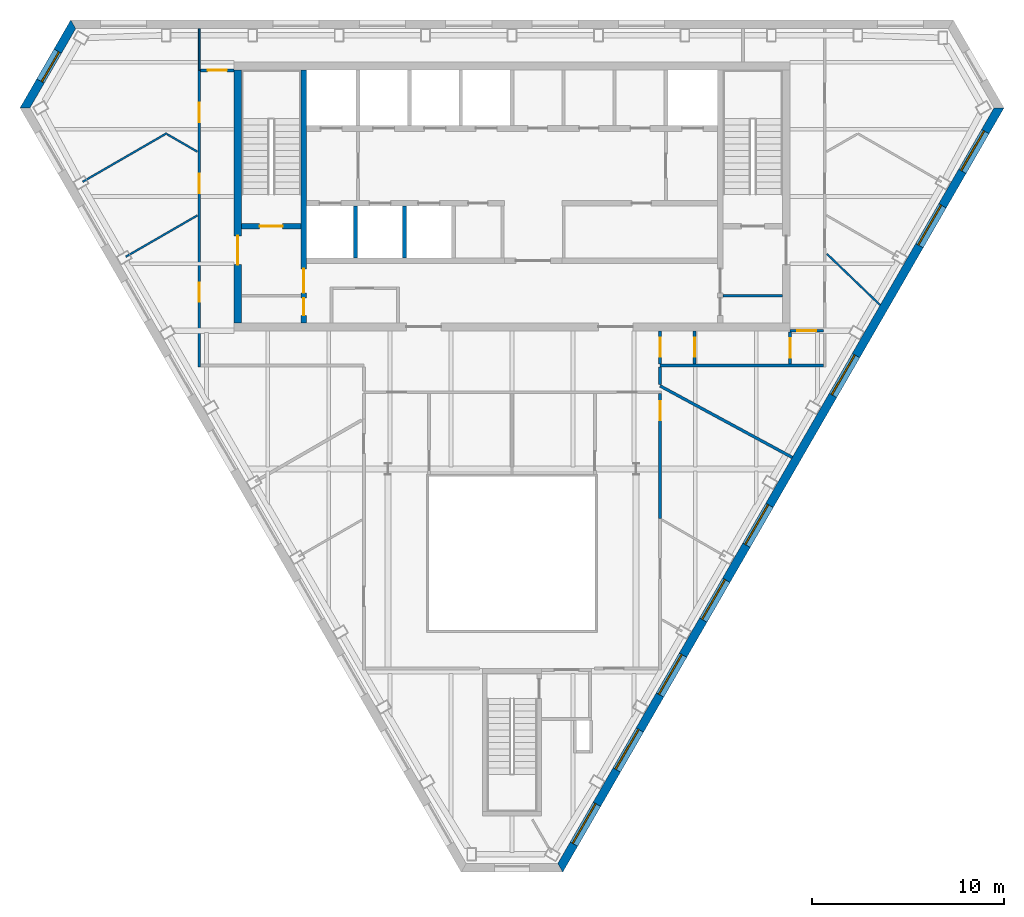
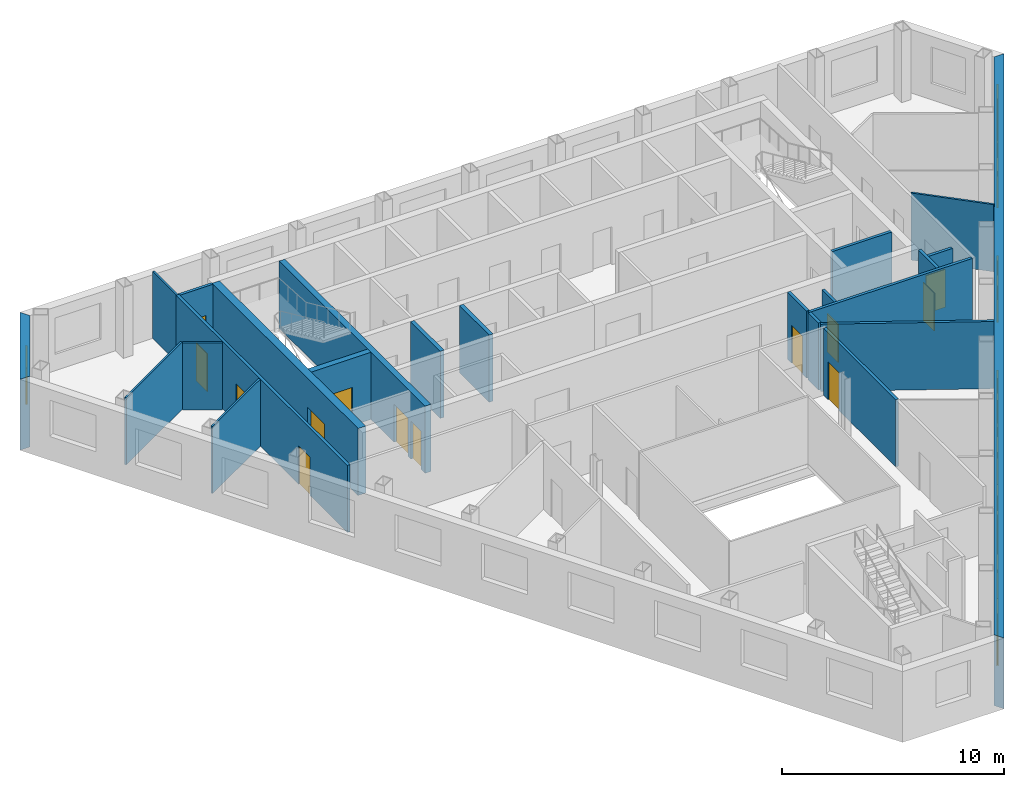
# One storey, part 5 of 10: 23 walls, 13 doors, 9 windows, 22 openings.
"""IFC4 building model written with IfcOpenShell, lengths in metres."""

from ifc_helpers import new_model, si_unit, direction, frame, frame_2d, origin, place, context, subcontext, project, spatial, polyline, rectangle, outline, extrude, material, layer, layer_set, type_object, element, fill, save


model = new_model("IFC4")

# Units and contexts
model_context = context("Model", 3, precision=1e-05, world=origin(), true_north=direction((0.0, 1.0)))
body_context = subcontext(model_context, "Body", "Model", "MODEL_VIEW")
ifc_project = project(units=[si_unit("LENGTHUNIT", "METRE"), si_unit("AREAUNIT", "SQUARE_METRE"), si_unit("VOLUMEUNIT", "CUBIC_METRE"), si_unit("PLANEANGLEUNIT", "RADIAN"), si_unit("MASSUNIT", "GRAM", prefix="KILO")], contexts=[model_context])

# Site, building, storey
site_placement = place(None, origin())
site = spatial("IfcSite", under=ifc_project, at=site_placement, CompositionType="ELEMENT")
building_placement = place(site_placement, origin())
building = spatial("IfcBuilding", under=site, at=building_placement, Name="Njiva Tower", CompositionType="ELEMENT")
storey_placement = place(building_placement, frame((0.0, 0.0, 284.4)))
storey = spatial("IfcBuildingStorey", under=building, at=storey_placement, Name="L65", CompositionType="ELEMENT", Elevation=284.4)

# Wall
ifc_material_1 = material(Name="Blockwork", Category="masonry")
ifc_layer_1 = layer(ifc_material_1, 0.15)
ifc_layer_set_1 = layer_set([ifc_layer_1], Name="Blockwork")
wall_type_1 = type_object("IfcWallType", Name="WT1 Compartment partition 150", PredefinedType="PARTITIONING", material=ifc_layer_set_1)
wall_1_placement = place(storey_placement, frame((11.0, 5.825, 0.0), z_axis=(0.0, 0.0, 1.0), x_axis=(1.0, 0.0, 0.0)))
element("IfcWall", 1, at=wall_1_placement, inside=storey, type_object=wall_type_1, Name="Room wall B", PredefinedType="PARTITIONING", context=body_context, shape_type="SweptSolid", body=[
    extrude(rectangle(XDim=3.1, YDim=0.15, at=frame_2d((1.55, 0.0))), origin(), (0.0, 0.0, 1.0), 3.7),
])

# Wall, openings, doors
ifc_material_2 = material(Name="Concrete C40/50", Category="concrete")
ifc_layer_2 = layer(ifc_material_2, 0.3)
ifc_layer_set_2 = layer_set([ifc_layer_2], Name="Concrete C40/50")
wall_type_2 = type_object("IfcWallType", Name="WT10 Stair enclosure wall 300", PredefinedType="SHEAR", material=ifc_layer_set_2)
wall_2_placement = place(storey_placement, frame((-10.85, 4.4, 0.0), z_axis=(0.0, 0.0, 1.0), x_axis=(0.0, 1.0, 0.0)))
wall_2 = element("IfcWall", 2, at=wall_2_placement, inside=storey, type_object=wall_type_2, Name="Stair wall west inner", PredefinedType="SHEAR", context=body_context, shape_type="SweptSolid", body=[
    extrude(rectangle(XDim=13.2, YDim=0.3, at=frame_2d((6.6, 0.0))), origin(), (0.0, 0.0, 1.0), 3.7),
])
opening_1_placement = place(wall_2_placement, frame((1.575, 0.0, 0.0)))
opening_1 = element("IfcOpeningElement", 3, at=opening_1_placement, cuts=wall_2, Name="Opening S21-D916", PredefinedType="OPENING", context=body_context, shape_type="SweptSolid", body=[
    extrude(rectangle(XDim=1.25, YDim=2.1, at=frame_2d((0.625, 1.05))), frame((0.0, 0.16, 0.0), z_axis=(0.0, -1.0, 0.0), x_axis=(1.0, 0.0, 0.0)), (0.0, 0.0, 1.0), 0.32),
])
opening_2_placement = place(wall_2_placement, frame((0.4, 0.0, 0.0)))
opening_2 = element("IfcOpeningElement", 4, at=opening_2_placement, cuts=wall_2, Name="Opening S21-D918", PredefinedType="OPENING", context=body_context, shape_type="SweptSolid", body=[
    extrude(rectangle(XDim=0.9, YDim=2.1, at=frame_2d((0.45, 1.05))), frame((0.0, 0.16, 0.0), z_axis=(0.0, -1.0, 0.0), x_axis=(1.0, 0.0, 0.0)), (0.0, 0.0, 1.0), 0.32),
])
ifc_material_3 = material(Name="Steel door, painted", Category="steel")
door_type_1 = type_object("IfcDoorType", Name="D13 Steel door 900x2100", OperationType="SINGLE_SWING_LEFT", PredefinedType="DOOR", material=ifc_material_3)
door_1_placement = place(opening_2_placement, origin())
door_1 = element("IfcDoor", 5, at=door_1_placement, inside=storey, type_object=door_type_1, Name="Quiet room door", OperationType="SINGLE_SWING_RIGHT", OverallHeight=2.1, OverallWidth=0.9, PredefinedType="DOOR", context=body_context, shape_type="SweptSolid", body=[
    extrude(rectangle(XDim=0.9, YDim=2.1, at=frame_2d((0.45, 1.05))), frame((0.0, 0.025, 0.0), z_axis=(0.0, -1.0, 0.0), x_axis=(1.0, 0.0, 0.0)), (0.0, 0.0, 1.0), 0.05),
])
fill(opening_2, door_1)
ifc_material_4 = material(Name="Glazed steel fire door", Category="steel")
door_type_2 = type_object("IfcDoorType", Name="D8 Vestibule corridor door 1250x2100 glazed", OperationType="SINGLE_SWING_LEFT", PredefinedType="DOOR", material=ifc_material_4)
door_2_placement = place(opening_1_placement, origin())
door_2 = element("IfcDoor", 6, at=door_2_placement, inside=storey, type_object=door_type_2, Name="Stair vestibule corridor door", OperationType="SINGLE_SWING_LEFT", OverallHeight=2.1, OverallWidth=1.25, PredefinedType="DOOR", context=body_context, shape_type="SweptSolid", body=[
    extrude(rectangle(XDim=1.25, YDim=2.1, at=frame_2d((0.625, 1.05))), frame((0.0, 0.025, 0.0), z_axis=(0.0, -1.0, 0.0), x_axis=(1.0, 0.0, 0.0)), (0.0, 0.0, 1.0), 0.05),
])
fill(opening_1, door_2)

# Wall, opening, door
wall_3_placement = place(storey_placement, frame((-14.1, 9.45, 0.0), z_axis=(0.0, 0.0, 1.0), x_axis=(1.0, 0.0, 0.0)))
wall_3 = element("IfcWall", 7, at=wall_3_placement, inside=storey, type_object=wall_type_2, Name="Stair A south wall", PredefinedType="SHEAR", context=body_context, shape_type="SweptSolid", body=[
    extrude(rectangle(XDim=3.1, YDim=0.3, at=frame_2d((1.55, 0.0))), origin(), (0.0, 0.0, 1.0), 3.7),
])
opening_3_placement = place(wall_3_placement, frame((0.95, 0.0, 0.0)))
opening_3 = element("IfcOpeningElement", 8, at=opening_3_placement, cuts=wall_3, Name="Opening S21-D915", PredefinedType="OPENING", context=body_context, shape_type="SweptSolid", body=[
    extrude(rectangle(XDim=1.2, YDim=2.1, at=frame_2d((0.6, 1.05))), frame((0.0, 0.16, 0.0), z_axis=(0.0, -1.0, 0.0), x_axis=(1.0, 0.0, 0.0)), (0.0, 0.0, 1.0), 0.32),
])
door_type_3 = type_object("IfcDoorType", Name="D7 Stair vestibule door 1200x2100 glazed", OperationType="SINGLE_SWING_LEFT", PredefinedType="DOOR", material=ifc_material_4)
door_3_placement = place(opening_3_placement, origin())
door_3 = element("IfcDoor", 9, at=door_3_placement, inside=storey, type_object=door_type_3, Name="Stair A door", OperationType="SINGLE_SWING_LEFT", OverallHeight=2.1, OverallWidth=1.2, PredefinedType="DOOR", context=body_context, shape_type="SweptSolid", body=[
    extrude(rectangle(XDim=1.2, YDim=2.1, at=frame_2d((0.6, 1.05))), frame((0.0, 0.025, 0.0), z_axis=(0.0, -1.0, 0.0), x_axis=(1.0, 0.0, 0.0)), (0.0, 0.0, 1.0), 0.05),
])
fill(opening_3, door_3)

ifc_material_5 = material(Name="Concrete C60/75", Category="concrete")
ifc_layer_3 = layer(ifc_material_5, 0.4)
ifc_layer_set_3 = layer_set([ifc_layer_3], Name="Concrete C60/75")
wall_type_3 = type_object("IfcWallType", Name="WT11 Core wall 400", PredefinedType="SHEAR", material=ifc_layer_set_3)
wall_4_placement = place(storey_placement, frame((-14.3, 4.4, 0.0), z_axis=(0.0, 0.0, 1.0), x_axis=(0.0, 1.0, 0.0)))
wall_4 = element("IfcWall", 10, at=wall_4_placement, inside=storey, type_object=wall_type_3, Name="Core wall west", PredefinedType="SHEAR", context=body_context, shape_type="SweptSolid", body=[
    extrude(rectangle(XDim=13.2, YDim=0.4, at=frame_2d((6.6, 0.0))), origin(), (0.0, 0.0, 1.0), 3.7),
])
opening_4_placement = place(wall_4_placement, frame((3.05, 0.0, 0.0)))
opening_4 = element("IfcOpeningElement", 11, at=opening_4_placement, cuts=wall_4, Name="Opening S21-D917", PredefinedType="OPENING", context=body_context, shape_type="SweptSolid", body=[
    extrude(rectangle(XDim=1.5, YDim=2.1, at=frame_2d((0.75, 1.05))), frame((0.0, 0.21, 0.0), z_axis=(0.0, -1.0, 0.0), x_axis=(1.0, 0.0, 0.0)), (0.0, 0.0, 1.0), 0.42),
])
door_type_4 = type_object("IfcDoorType", Name="D10 Exit door double 1500x2100 glazed", OperationType="DOUBLE_DOOR_SINGLE_SWING", PredefinedType="DOOR", material=ifc_material_4)
door_4_placement = place(opening_4_placement, origin())
door_4 = element("IfcDoor", 12, at=door_4_placement, inside=storey, type_object=door_type_4, Name="Stair A corridor door", OperationType="DOUBLE_DOOR_SINGLE_SWING", OverallHeight=2.1, OverallWidth=1.5, PredefinedType="DOOR", context=body_context, shape_type="SweptSolid", body=[
    extrude(rectangle(XDim=1.5, YDim=2.1, at=frame_2d((0.75, 1.05))), frame((0.0, 0.025, 0.0), z_axis=(0.0, -1.0, 0.0), x_axis=(1.0, 0.0, 0.0)), (0.0, 0.0, 1.0), 0.05),
])
fill(opening_4, door_4)

# Walls
ifc_material_6 = material(Name="Gypsum board on steel studs", Category="gypsum")
ifc_layer_4 = layer(ifc_material_6, 0.1)
ifc_layer_set_4 = layer_set([ifc_layer_4], Name="Gypsum board on steel studs")
wall_type_4 = type_object("IfcWallType", Name="WT20 Gypsum partition 100", PredefinedType="PARTITIONING", material=ifc_layer_set_4)
wall_5_placement = place(storey_placement, frame((-22.381, 11.765, 0.0), z_axis=(0.0, 0.0, 1.0), x_axis=(0.86601491352, 0.500018169231, 0.0)))
element("IfcWall", 13, at=wall_5_placement, inside=storey, type_object=wall_type_4, Name="Partition S21-P001", PredefinedType="PARTITIONING", context=body_context, shape_type="SweptSolid", body=[
    extrude(rectangle(XDim=5.0738, YDim=0.1, at=frame_2d((2.5369, 0.0))), origin(), (0.0, 0.0, 1.0), 3.7),
])
wall_6_placement = place(storey_placement, frame((-20.127, 7.862, 0.0), z_axis=(0.0, 0.0, 1.0), x_axis=(0.866104329613, 0.499863271531, 0.0)))
element("IfcWall", 14, at=wall_6_placement, inside=storey, type_object=wall_type_4, Name="Partition S21-P002", PredefinedType="PARTITIONING", context=body_context, shape_type="SweptSolid", body=[
    extrude(rectangle(XDim=4.3032, YDim=0.1, at=frame_2d((2.1516, 0.0))), origin(), (0.0, 0.0, 1.0), 3.7),
])
wall_7_placement = place(storey_placement, frame((-17.971, 14.243, 0.0), z_axis=(0.0, 0.0, 1.0), x_axis=(0.86602952684, -0.49999285859, 0.0)))
element("IfcWall", 15, at=wall_7_placement, inside=storey, type_object=wall_type_4, Name="Partition S21-P003", PredefinedType="PARTITIONING", context=body_context, shape_type="SweptSolid", body=[
    extrude(rectangle(XDim=1.814, YDim=0.1, at=frame_2d((0.907, 0.0))), origin(), (0.0, 0.0, 1.0), 3.7),
])
wall_8_placement = place(storey_placement, frame((-16.3, 17.588, 0.0), z_axis=(0.0, 0.0, 1.0), x_axis=(0.0, 1.0, 0.0)))
element("IfcWall", 16, at=wall_8_placement, inside=storey, type_object=wall_type_4, Name="Partition S21-P005", PredefinedType="PARTITIONING", context=body_context, shape_type="SweptSolid", body=[
    extrude(rectangle(XDim=2.162, YDim=0.1, at=frame_2d((1.081, 0.0))), origin(), (0.0, 0.0, 1.0), 3.7),
])
wall_9_placement = place(storey_placement, frame((16.41, 8.012, 0.0), z_axis=(0.0, 0.0, 1.0), x_axis=(0.720972589003, -0.692963581948, 0.0)))
element("IfcWall", 17, at=wall_9_placement, inside=storey, type_object=wall_type_4, Name="Partition S21-P035", PredefinedType="PARTITIONING", context=body_context, shape_type="SweptSolid", body=[
    extrude(rectangle(XDim=3.8559, YDim=0.1, at=frame_2d((1.928, 0.0))), origin(), (0.0, 0.0, 1.0), 3.7),
])

# Wall, openings, doors
ifc_layer_5 = layer(ifc_material_6, 0.15)
ifc_layer_set_5 = layer_set([ifc_layer_5], Name="Gypsum board on steel studs")
wall_type_5 = type_object("IfcWallType", Name="WT21 Compartment wall 150", PredefinedType="PARTITIONING", material=ifc_layer_set_5)
wall_10_placement = place(storey_placement, frame((-16.3, 2.125, 0.0), z_axis=(0.0, 0.0, 1.0), x_axis=(0.0, 1.0, 0.0)))
wall_10 = element("IfcWall", 18, at=wall_10_placement, inside=storey, type_object=wall_type_5, Name="Partition S21-P004", PredefinedType="PARTITIONING", context=body_context, shape_type="SweptSolid", body=[
    extrude(rectangle(XDim=15.463, YDim=0.15, at=frame_2d((7.7315, 0.0))), origin(), (0.0, 0.0, 1.0), 3.7),
])
opening_5_placement = place(wall_10_placement, frame((3.385, 0.0, 0.0)))
opening_5 = element("IfcOpeningElement", 19, at=opening_5_placement, cuts=wall_10, Name="Opening S21-D001", PredefinedType="OPENING", context=body_context, shape_type="SweptSolid", body=[
    extrude(rectangle(XDim=1.0, YDim=2.1, at=frame_2d((0.5, 1.05))), frame((0.0, 0.085, 0.0), z_axis=(0.0, -1.0, 0.0), x_axis=(1.0, 0.0, 0.0)), (0.0, 0.0, 1.0), 0.17),
])
opening_6_placement = place(wall_10_placement, frame((9.05, 0.0, 0.0)))
opening_6 = element("IfcOpeningElement", 20, at=opening_6_placement, cuts=wall_10, Name="Opening S21-D002", PredefinedType="OPENING", context=body_context, shape_type="SweptSolid", body=[
    extrude(rectangle(XDim=1.0, YDim=2.1, at=frame_2d((0.5, 1.05))), frame((0.0, 0.085, 0.0), z_axis=(0.0, -1.0, 0.0), x_axis=(1.0, 0.0, 0.0)), (0.0, 0.0, 1.0), 0.17),
])
opening_7_placement = place(wall_10_placement, frame((12.758, 0.0, 0.0)))
opening_7 = element("IfcOpeningElement", 21, at=opening_7_placement, cuts=wall_10, Name="Opening S21-D003", PredefinedType="OPENING", context=body_context, shape_type="SweptSolid", body=[
    extrude(rectangle(XDim=1.0, YDim=2.1, at=frame_2d((0.5, 1.05))), frame((0.0, 0.085, 0.0), z_axis=(0.0, -1.0, 0.0), x_axis=(1.0, 0.0, 0.0)), (0.0, 0.0, 1.0), 0.17),
])
ifc_material_7 = material(Name="Steel fire door set", Category="steel")
door_type_5 = type_object("IfcDoorType", Name="D37 Fire door 1000x2100", OperationType="SINGLE_SWING_LEFT", PredefinedType="DOOR", material=ifc_material_7)
door_5_placement = place(opening_5_placement, origin())
door_5 = element("IfcDoor", 22, at=door_5_placement, inside=storey, type_object=door_type_5, Name="Door S21-D001", OperationType="SINGLE_SWING_RIGHT", OverallHeight=2.1, OverallWidth=1.0, PredefinedType="DOOR", context=body_context, shape_type="SweptSolid", body=[
    extrude(rectangle(XDim=1.0, YDim=2.1, at=frame_2d((0.5, 1.05))), frame((0.0, 0.025, 0.0), z_axis=(0.0, -1.0, 0.0), x_axis=(1.0, 0.0, 0.0)), (0.0, 0.0, 1.0), 0.05),
])
fill(opening_5, door_5)
door_6_placement = place(opening_6_placement, origin())
door_6 = element("IfcDoor", 23, at=door_6_placement, inside=storey, type_object=door_type_5, Name="Door S21-D002", OperationType="SINGLE_SWING_LEFT", OverallHeight=2.1, OverallWidth=1.0, PredefinedType="DOOR", context=body_context, shape_type="SweptSolid", body=[
    extrude(rectangle(XDim=1.0, YDim=2.1, at=frame_2d((0.5, 1.05))), frame((0.0, 0.025, 0.0), z_axis=(0.0, -1.0, 0.0), x_axis=(1.0, 0.0, 0.0)), (0.0, 0.0, 1.0), 0.05),
])
fill(opening_6, door_6)
door_7_placement = place(opening_7_placement, origin())
door_7 = element("IfcDoor", 24, at=door_7_placement, inside=storey, type_object=door_type_5, Name="Door S21-D003", OperationType="SINGLE_SWING_LEFT", OverallHeight=2.1, OverallWidth=1.0, PredefinedType="DOOR", context=body_context, shape_type="SweptSolid", body=[
    extrude(rectangle(XDim=1.0, YDim=2.1, at=frame_2d((0.5, 1.05))), frame((0.0, 0.025, 0.0), z_axis=(0.0, -1.0, 0.0), x_axis=(1.0, 0.0, 0.0)), (0.0, 0.0, 1.0), 0.05),
])
fill(opening_7, door_7)

# Wall, opening, door
wall_11_placement = place(storey_placement, frame((-16.225, 17.576, 0.0), z_axis=(0.0, 0.0, 1.0), x_axis=(1.0, 0.0, 0.0)))
wall_11 = element("IfcWall", 25, at=wall_11_placement, inside=storey, type_object=wall_type_5, Name="Partition S21-P007", PredefinedType="PARTITIONING", context=body_context, shape_type="SweptSolid", body=[
    extrude(rectangle(XDim=1.725, YDim=0.15, at=frame_2d((0.8625, 0.0))), origin(), (0.0, 0.0, 1.0), 3.7),
])
opening_8_placement = place(wall_11_placement, frame((0.363, 0.0, 0.0)))
opening_8 = element("IfcOpeningElement", 26, at=opening_8_placement, cuts=wall_11, Name="Opening S21-D004", PredefinedType="OPENING", context=body_context, shape_type="SweptSolid", body=[
    extrude(rectangle(XDim=1.0, YDim=2.1, at=frame_2d((0.5, 1.05))), frame((0.0, 0.085, 0.0), z_axis=(0.0, -1.0, 0.0), x_axis=(1.0, 0.0, 0.0)), (0.0, 0.0, 1.0), 0.17),
])
door_8_placement = place(opening_8_placement, origin())
door_8 = element("IfcDoor", 27, at=door_8_placement, inside=storey, type_object=door_type_5, Name="Door S21-D004", OperationType="SINGLE_SWING_LEFT", OverallHeight=2.1, OverallWidth=1.0, PredefinedType="DOOR", context=body_context, shape_type="SweptSolid", body=[
    extrude(rectangle(XDim=1.0, YDim=2.1, at=frame_2d((0.5, 1.05))), frame((0.0, 0.025, 0.0), z_axis=(0.0, -1.0, 0.0), x_axis=(1.0, 0.0, 0.0)), (0.0, 0.0, 1.0), 0.05),
])
fill(opening_8, door_8)

# Walls
wall_12_placement = place(storey_placement, frame((7.72, 1.127, 0.0), z_axis=(0.0, 0.0, 1.0), x_axis=(0.879447920674, -0.475995120586, 0.0)))
element("IfcWall", 28, at=wall_12_placement, inside=storey, type_object=wall_type_5, Name="Partition S21-P021", PredefinedType="PARTITIONING", context=body_context, shape_type="SweptSolid", body=[
    extrude(rectangle(XDim=7.8299, YDim=0.15, at=frame_2d((3.915, 0.0))), origin(), (0.0, 0.0, 1.0), 3.7),
])
wall_13_placement = place(storey_placement, frame((7.72, 1.193, 0.0), z_axis=(0.0, 0.0, 1.0), x_axis=(0.0, 1.0, 0.0)))
element("IfcWall", 29, at=wall_13_placement, inside=storey, type_object=wall_type_5, Name="Partition S21-P022", PredefinedType="PARTITIONING", context=body_context, shape_type="SweptSolid", body=[
    extrude(rectangle(XDim=0.932, YDim=0.15, at=frame_2d((0.466, 0.0))), origin(), (0.0, 0.0, 1.0), 3.7),
])
wall_14_placement = place(storey_placement, frame((7.72, 2.2, 0.0), z_axis=(0.0, 0.0, 1.0), x_axis=(1.0, 0.0, 0.0)))
element("IfcWall", 30, at=wall_14_placement, inside=storey, type_object=wall_type_5, Name="Partition S21-P023", PredefinedType="PARTITIONING", context=body_context, shape_type="SweptSolid", body=[
    extrude(rectangle(XDim=8.505, YDim=0.15, at=frame_2d((4.2525, 0.0))), origin(), (0.0, 0.0, 1.0), 3.7),
])

# Wall, opening, door
wall_15_placement = place(storey_placement, frame((7.72, 2.275, 0.0), z_axis=(0.0, 0.0, 1.0), x_axis=(0.0, 1.0, 0.0)))
wall_15 = element("IfcWall", 31, at=wall_15_placement, inside=storey, type_object=wall_type_5, Name="Partition S21-P024", PredefinedType="PARTITIONING", context=body_context, shape_type="SweptSolid", body=[
    extrude(rectangle(XDim=1.725, YDim=0.15, at=frame_2d((0.8625, 0.0))), origin(), (0.0, 0.0, 1.0), 3.7),
])
opening_9_placement = place(wall_15_placement, frame((0.362, 0.0, 0.0)))
opening_9 = element("IfcOpeningElement", 32, at=opening_9_placement, cuts=wall_15, Name="Opening S21-D013", PredefinedType="OPENING", context=body_context, shape_type="SweptSolid", body=[
    extrude(rectangle(XDim=1.0, YDim=2.1, at=frame_2d((0.5, 1.05))), frame((0.0, 0.085, 0.0), z_axis=(0.0, -1.0, 0.0), x_axis=(1.0, 0.0, 0.0)), (0.0, 0.0, 1.0), 0.17),
])
door_9_placement = place(opening_9_placement, origin())
door_9 = element("IfcDoor", 33, at=door_9_placement, inside=storey, type_object=door_type_5, Name="Door S21-D013", OperationType="SINGLE_SWING_LEFT", OverallHeight=2.1, OverallWidth=1.0, PredefinedType="DOOR", context=body_context, shape_type="SweptSolid", body=[
    extrude(rectangle(XDim=1.0, YDim=2.1, at=frame_2d((0.5, 1.05))), frame((0.0, 0.025, 0.0), z_axis=(0.0, -1.0, 0.0), x_axis=(1.0, 0.0, 0.0)), (0.0, 0.0, 1.0), 0.05),
])
fill(opening_9, door_9)

wall_16_placement = place(storey_placement, frame((7.72, 0.725, 0.0), z_axis=(0.0, 0.0, 1.0), x_axis=(0.000153657036, -0.999999988195, 0.0)))
wall_16 = element("IfcWall", 34, at=wall_16_placement, inside=storey, type_object=wall_type_5, Name="Partition S21-P025", PredefinedType="PARTITIONING", context=body_context, shape_type="SweptSolid", body=[
    extrude(rectangle(XDim=6.508, YDim=0.15, at=frame_2d((3.254, 0.0))), origin(), (0.0, 0.0, 1.0), 3.7),
])
opening_10_placement = place(wall_16_placement, frame((0.4, 0.0, 0.0)))
opening_10 = element("IfcOpeningElement", 35, at=opening_10_placement, cuts=wall_16, Name="Opening S21-D014", PredefinedType="OPENING", context=body_context, shape_type="SweptSolid", body=[
    extrude(rectangle(XDim=1.0, YDim=2.1, at=frame_2d((0.5, 1.05))), frame((0.0, 0.085, 0.0), z_axis=(0.0, -1.0, 0.0), x_axis=(1.0, 0.0, 0.0)), (0.0, 0.0, 1.0), 0.17),
])
door_10_placement = place(opening_10_placement, origin())
door_10 = element("IfcDoor", 36, at=door_10_placement, inside=storey, type_object=door_type_5, Name="Door S21-D014", OperationType="SINGLE_SWING_RIGHT", OverallHeight=2.1, OverallWidth=1.0, PredefinedType="DOOR", context=body_context, shape_type="SweptSolid", body=[
    extrude(rectangle(XDim=1.0, YDim=2.1, at=frame_2d((0.5, 1.05))), frame((0.0, 0.025, 0.0), z_axis=(0.0, -1.0, 0.0), x_axis=(1.0, 0.0, 0.0)), (0.0, 0.0, 1.0), 0.05),
])
fill(opening_10, door_10)

wall_17_placement = place(storey_placement, frame((9.52, 2.275, 0.0), z_axis=(0.0, 0.0, 1.0), x_axis=(0.0, 1.0, 0.0)))
wall_17 = element("IfcWall", 37, at=wall_17_placement, inside=storey, type_object=wall_type_5, Name="Partition S21-P028", PredefinedType="PARTITIONING", context=body_context, shape_type="SweptSolid", body=[
    extrude(rectangle(XDim=1.725, YDim=0.15, at=frame_2d((0.8625, 0.0))), origin(), (0.0, 0.0, 1.0), 3.2),
])
opening_11_placement = place(wall_17_placement, frame((0.362, 0.0, 0.0)))
opening_11 = element("IfcOpeningElement", 38, at=opening_11_placement, cuts=wall_17, Name="Opening S21-D015", PredefinedType="OPENING", context=body_context, shape_type="SweptSolid", body=[
    extrude(rectangle(XDim=1.0, YDim=2.1, at=frame_2d((0.5, 1.05))), frame((0.0, 0.085, 0.0), z_axis=(0.0, -1.0, 0.0), x_axis=(1.0, 0.0, 0.0)), (0.0, 0.0, 1.0), 0.17),
])
door_11_placement = place(opening_11_placement, origin())
door_11 = element("IfcDoor", 39, at=door_11_placement, inside=storey, type_object=door_type_5, Name="Door S21-D015", OperationType="SINGLE_SWING_LEFT", OverallHeight=2.1, OverallWidth=1.0, PredefinedType="DOOR", context=body_context, shape_type="SweptSolid", body=[
    extrude(rectangle(XDim=1.0, YDim=2.1, at=frame_2d((0.5, 1.05))), frame((0.0, 0.025, 0.0), z_axis=(0.0, -1.0, 0.0), x_axis=(1.0, 0.0, 0.0)), (0.0, 0.0, 1.0), 0.05),
])
fill(opening_11, door_11)

wall_18_placement = place(storey_placement, frame((14.5, 2.275, 0.0), z_axis=(0.0, 0.0, 1.0), x_axis=(0.0, 1.0, 0.0)))
wall_18 = element("IfcWall", 40, at=wall_18_placement, inside=storey, type_object=wall_type_5, Name="Partition S21-P030", PredefinedType="PARTITIONING", context=body_context, shape_type="SweptSolid", body=[
    extrude(rectangle(XDim=1.65, YDim=0.15, at=frame_2d((0.825, 0.0))), origin(), (0.0, 0.0, 1.0), 3.7),
])
opening_12_placement = place(wall_18_placement, frame((0.325, 0.0, 0.0)))
opening_12 = element("IfcOpeningElement", 41, at=opening_12_placement, cuts=wall_18, Name="Opening S21-D016", PredefinedType="OPENING", context=body_context, shape_type="SweptSolid", body=[
    extrude(rectangle(XDim=1.0, YDim=2.1, at=frame_2d((0.5, 1.05))), frame((0.0, 0.085, 0.0), z_axis=(0.0, -1.0, 0.0), x_axis=(1.0, 0.0, 0.0)), (0.0, 0.0, 1.0), 0.17),
])
door_12_placement = place(opening_12_placement, origin())
door_12 = element("IfcDoor", 42, at=door_12_placement, inside=storey, type_object=door_type_5, Name="Door S21-D016", OperationType="SINGLE_SWING_LEFT", OverallHeight=2.1, OverallWidth=1.0, PredefinedType="DOOR", context=body_context, shape_type="SweptSolid", body=[
    extrude(rectangle(XDim=1.0, YDim=2.1, at=frame_2d((0.5, 1.05))), frame((0.0, 0.025, 0.0), z_axis=(0.0, -1.0, 0.0), x_axis=(1.0, 0.0, 0.0)), (0.0, 0.0, 1.0), 0.05),
])
fill(opening_12, door_12)

wall_19_placement = place(storey_placement, frame((14.5, 4.0, 0.0), z_axis=(0.0, 0.0, 1.0), x_axis=(1.0, 0.0, 0.0)))
wall_19 = element("IfcWall", 43, at=wall_19_placement, inside=storey, type_object=wall_type_5, Name="Partition S21-P031", PredefinedType="PARTITIONING", context=body_context, shape_type="SweptSolid", body=[
    extrude(rectangle(XDim=1.725, YDim=0.15, at=frame_2d((0.8625, 0.0))), origin(), (0.0, 0.0, 1.0), 3.16),
])
opening_13_placement = place(wall_19_placement, frame((0.363, 0.0, 0.0)))
opening_13 = element("IfcOpeningElement", 44, at=opening_13_placement, cuts=wall_19, Name="Opening S21-D017", PredefinedType="OPENING", context=body_context, shape_type="SweptSolid", body=[
    extrude(rectangle(XDim=1.0, YDim=2.1, at=frame_2d((0.5, 1.05))), frame((0.0, 0.085, 0.0), z_axis=(0.0, -1.0, 0.0), x_axis=(1.0, 0.0, 0.0)), (0.0, 0.0, 1.0), 0.17),
])
door_13_placement = place(opening_13_placement, origin())
door_13 = element("IfcDoor", 45, at=door_13_placement, inside=storey, type_object=door_type_5, Name="Door S21-D017", OperationType="SINGLE_SWING_LEFT", OverallHeight=2.1, OverallWidth=1.0, PredefinedType="DOOR", context=body_context, shape_type="SweptSolid", body=[
    extrude(rectangle(XDim=1.0, YDim=2.1, at=frame_2d((0.5, 1.05))), frame((0.0, 0.025, 0.0), z_axis=(0.0, -1.0, 0.0), x_axis=(1.0, 0.0, 0.0)), (0.0, 0.0, 1.0), 0.05),
])
fill(opening_13, door_13)

# Walls
ifc_layer_6 = layer(ifc_material_2, 0.2)
ifc_layer_set_6 = layer_set([ifc_layer_6], Name="Concrete C40/50")
wall_type_6 = type_object("IfcWallType", Name="WT6 Lift shaft wall 200", PredefinedType="SHEAR", material=ifc_layer_set_6)
for number, where, z_axis, x_axis, name in (
    (46, (-8.15, 7.8, 0.0), (0.0, 0.0, 1.0), (0.0, 1.0, 0.0), "Shaft wall CS1"),
    (47, (-5.6, 7.8, 0.0), (0.0, 0.0, 1.0), (0.0, 1.0, 0.0), "Shaft wall CS2"),
):
    element("IfcWall", number, at=place(storey_placement, frame(where, z_axis=z_axis, x_axis=x_axis)), inside=storey, type_object=wall_type_6, Name=name, PredefinedType="SHEAR", context=body_context, shape_type="SweptSolid", body=[
        extrude(rectangle(XDim=2.7, YDim=0.2, at=frame_2d((1.35, 0.0))), origin(), (0.0, 0.0, 1.0), 3.7),
    ])

# Wall, openings, windows
ifc_material_8 = material(Name="Brick masonry", Category="masonry")
ifc_layer_7 = layer(ifc_material_8, 0.45)
ifc_layer_set_7 = layer_set([ifc_layer_7], Name="Brick masonry")
wall_type_7 = type_object("IfcWallType", Name="WT90 Brick pier and spandrel wall 450", PredefinedType="SOLIDWALL", material=ifc_layer_set_7)
wall_20_placement = place(storey_placement, frame((2.5151, -23.9934, -0.4), z_axis=(0.0, 0.0, 1.0), x_axis=(0.500000711659, 0.866024992908, 0.0)))
wall_20 = element("IfcWall", 48, at=wall_20_placement, inside=storey, type_object=wall_type_7, Name="Facade wall SE", PredefinedType="SOLIDWALL", context=body_context, shape_type="SweptSolid", body=[
    extrude(outline(polyline([(-0.1299, -0.225), (45.87, -0.225), (45.6102, 0.225), (0.1299, 0.225), (-0.1299, -0.225)])), origin(), (0.0, 0.0, 1.0), 3.9),
])
opening_14_placement = place(wall_20_placement, frame((1.4242, 0.0, 1.3)))
opening_14 = element("IfcOpeningElement", 49, at=opening_14_placement, cuts=wall_20, Name="Opening S21-W20", PredefinedType="OPENING", context=body_context, shape_type="SweptSolid", body=[
    extrude(rectangle(XDim=2.4, YDim=2.0, at=frame_2d((1.2, 1.0))), frame((0.0, 0.235, 0.0), z_axis=(0.0, -1.0, 0.0), x_axis=(1.0, 0.0, 0.0)), (0.0, 0.0, 1.0), 0.47),
])
opening_15_placement = place(wall_20_placement, frame((5.8934, 0.0, 1.3)))
opening_15 = element("IfcOpeningElement", 50, at=opening_15_placement, cuts=wall_20, Name="Opening S21-W21", PredefinedType="OPENING", context=body_context, shape_type="SweptSolid", body=[
    extrude(rectangle(XDim=2.4, YDim=2.0, at=frame_2d((1.2, 1.0))), frame((0.0, 0.235, 0.0), z_axis=(0.0, -1.0, 0.0), x_axis=(1.0, 0.0, 0.0)), (0.0, 0.0, 1.0), 0.47),
])
opening_16_placement = place(wall_20_placement, frame((10.401, 0.0, 1.3)))
opening_16 = element("IfcOpeningElement", 51, at=opening_16_placement, cuts=wall_20, Name="Opening S21-W22", PredefinedType="OPENING", context=body_context, shape_type="SweptSolid", body=[
    extrude(rectangle(XDim=2.4, YDim=2.0, at=frame_2d((1.2, 1.0))), frame((0.0, 0.235, 0.0), z_axis=(0.0, -1.0, 0.0), x_axis=(1.0, 0.0, 0.0)), (0.0, 0.0, 1.0), 0.47),
])
opening_17_placement = place(wall_20_placement, frame((14.9087, 0.0, 1.3)))
opening_17 = element("IfcOpeningElement", 52, at=opening_17_placement, cuts=wall_20, Name="Opening S21-W23", PredefinedType="OPENING", context=body_context, shape_type="SweptSolid", body=[
    extrude(rectangle(XDim=2.4, YDim=2.0, at=frame_2d((1.2, 1.0))), frame((0.0, 0.235, 0.0), z_axis=(0.0, -1.0, 0.0), x_axis=(1.0, 0.0, 0.0)), (0.0, 0.0, 1.0), 0.47),
])
opening_18_placement = place(wall_20_placement, frame((19.4163, 0.0, 1.3)))
opening_18 = element("IfcOpeningElement", 53, at=opening_18_placement, cuts=wall_20, Name="Opening S21-W24", PredefinedType="OPENING", context=body_context, shape_type="SweptSolid", body=[
    extrude(rectangle(XDim=2.4, YDim=2.0, at=frame_2d((1.2, 1.0))), frame((0.0, 0.235, 0.0), z_axis=(0.0, -1.0, 0.0), x_axis=(1.0, 0.0, 0.0)), (0.0, 0.0, 1.0), 0.47),
])
opening_19_placement = place(wall_20_placement, frame((28.4315, 0.0, 1.3)))
opening_19 = element("IfcOpeningElement", 54, at=opening_19_placement, cuts=wall_20, Name="Opening S21-W25", PredefinedType="OPENING", context=body_context, shape_type="SweptSolid", body=[
    extrude(rectangle(XDim=2.4, YDim=2.0, at=frame_2d((1.2, 1.0))), frame((0.0, 0.235, 0.0), z_axis=(0.0, -1.0, 0.0), x_axis=(1.0, 0.0, 0.0)), (0.0, 0.0, 1.0), 0.47),
])
opening_20_placement = place(wall_20_placement, frame((37.4468, 0.0, 1.3)))
opening_20 = element("IfcOpeningElement", 55, at=opening_20_placement, cuts=wall_20, Name="Opening S21-W26", PredefinedType="OPENING", context=body_context, shape_type="SweptSolid", body=[
    extrude(rectangle(XDim=2.4, YDim=2.0, at=frame_2d((1.2, 1.0))), frame((0.0, 0.235, 0.0), z_axis=(0.0, -1.0, 0.0), x_axis=(1.0, 0.0, 0.0)), (0.0, 0.0, 1.0), 0.47),
])
opening_21_placement = place(wall_20_placement, frame((41.916, 0.0, 1.3)))
opening_21 = element("IfcOpeningElement", 56, at=opening_21_placement, cuts=wall_20, Name="Opening S21-W27", PredefinedType="OPENING", context=body_context, shape_type="SweptSolid", body=[
    extrude(rectangle(XDim=2.4, YDim=2.0, at=frame_2d((1.2, 1.0))), frame((0.0, 0.235, 0.0), z_axis=(0.0, -1.0, 0.0), x_axis=(1.0, 0.0, 0.0)), (0.0, 0.0, 1.0), 0.47),
])
ifc_material_9 = material(Name="Clear glazing in aluminium frame", Category="aluminium")
window_type_1 = type_object("IfcWindowType", Name="W90 Deep-set window 2400x2000", PartitioningType="SINGLE_PANEL", PredefinedType="WINDOW", material=ifc_material_9)
window_1_placement = place(opening_14_placement, origin())
window_1 = element("IfcWindow", 57, at=window_1_placement, inside=storey, type_object=window_type_1, Name="Window", OverallHeight=2.0, OverallWidth=2.4, PartitioningType="SINGLE_PANEL", PredefinedType="WINDOW", context=body_context, shape_type="SweptSolid", body=[
    extrude(rectangle(XDim=2.4, YDim=2.0, at=frame_2d((1.2, 1.0))), frame((0.0, 0.105, 0.0), z_axis=(0.0, -1.0, 0.0), x_axis=(1.0, 0.0, 0.0)), (0.0, 0.0, 1.0), 0.06),
])
fill(opening_14, window_1)
window_2_placement = place(opening_15_placement, origin())
window_2 = element("IfcWindow", 58, at=window_2_placement, inside=storey, type_object=window_type_1, Name="Window", OverallHeight=2.0, OverallWidth=2.4, PartitioningType="SINGLE_PANEL", PredefinedType="WINDOW", context=body_context, shape_type="SweptSolid", body=[
    extrude(rectangle(XDim=2.4, YDim=2.0, at=frame_2d((1.2, 1.0))), frame((0.0, 0.105, 0.0), z_axis=(0.0, -1.0, 0.0), x_axis=(1.0, 0.0, 0.0)), (0.0, 0.0, 1.0), 0.06),
])
fill(opening_15, window_2)
window_3_placement = place(opening_16_placement, origin())
window_3 = element("IfcWindow", 59, at=window_3_placement, inside=storey, type_object=window_type_1, Name="Window", OverallHeight=2.0, OverallWidth=2.4, PartitioningType="SINGLE_PANEL", PredefinedType="WINDOW", context=body_context, shape_type="SweptSolid", body=[
    extrude(rectangle(XDim=2.4, YDim=2.0, at=frame_2d((1.2, 1.0))), frame((0.0, 0.105, 0.0), z_axis=(0.0, -1.0, 0.0), x_axis=(1.0, 0.0, 0.0)), (0.0, 0.0, 1.0), 0.06),
])
fill(opening_16, window_3)
window_4_placement = place(opening_17_placement, origin())
window_4 = element("IfcWindow", 60, at=window_4_placement, inside=storey, type_object=window_type_1, Name="Window", OverallHeight=2.0, OverallWidth=2.4, PartitioningType="SINGLE_PANEL", PredefinedType="WINDOW", context=body_context, shape_type="SweptSolid", body=[
    extrude(rectangle(XDim=2.4, YDim=2.0, at=frame_2d((1.2, 1.0))), frame((0.0, 0.105, 0.0), z_axis=(0.0, -1.0, 0.0), x_axis=(1.0, 0.0, 0.0)), (0.0, 0.0, 1.0), 0.06),
])
fill(opening_17, window_4)
window_5_placement = place(opening_18_placement, origin())
window_5 = element("IfcWindow", 61, at=window_5_placement, inside=storey, type_object=window_type_1, Name="Window", OverallHeight=2.0, OverallWidth=2.4, PartitioningType="SINGLE_PANEL", PredefinedType="WINDOW", context=body_context, shape_type="SweptSolid", body=[
    extrude(rectangle(XDim=2.4, YDim=2.0, at=frame_2d((1.2, 1.0))), frame((0.0, 0.105, 0.0), z_axis=(0.0, -1.0, 0.0), x_axis=(1.0, 0.0, 0.0)), (0.0, 0.0, 1.0), 0.06),
])
fill(opening_18, window_5)
window_6_placement = place(opening_19_placement, origin())
window_6 = element("IfcWindow", 62, at=window_6_placement, inside=storey, type_object=window_type_1, Name="Window", OverallHeight=2.0, OverallWidth=2.4, PartitioningType="SINGLE_PANEL", PredefinedType="WINDOW", context=body_context, shape_type="SweptSolid", body=[
    extrude(rectangle(XDim=2.4, YDim=2.0, at=frame_2d((1.2, 1.0))), frame((0.0, 0.105, 0.0), z_axis=(0.0, -1.0, 0.0), x_axis=(1.0, 0.0, 0.0)), (0.0, 0.0, 1.0), 0.06),
])
fill(opening_19, window_6)
window_7_placement = place(opening_20_placement, origin())
window_7 = element("IfcWindow", 63, at=window_7_placement, inside=storey, type_object=window_type_1, Name="Window", OverallHeight=2.0, OverallWidth=2.4, PartitioningType="SINGLE_PANEL", PredefinedType="WINDOW", context=body_context, shape_type="SweptSolid", body=[
    extrude(rectangle(XDim=2.4, YDim=2.0, at=frame_2d((1.2, 1.0))), frame((0.0, 0.105, 0.0), z_axis=(0.0, -1.0, 0.0), x_axis=(1.0, 0.0, 0.0)), (0.0, 0.0, 1.0), 0.06),
])
fill(opening_20, window_7)
window_8_placement = place(opening_21_placement, origin())
window_8 = element("IfcWindow", 64, at=window_8_placement, inside=storey, type_object=window_type_1, Name="Window", OverallHeight=2.0, OverallWidth=2.4, PartitioningType="SINGLE_PANEL", PredefinedType="WINDOW", context=body_context, shape_type="SweptSolid", body=[
    extrude(rectangle(XDim=2.4, YDim=2.0, at=frame_2d((1.2, 1.0))), frame((0.0, 0.105, 0.0), z_axis=(0.0, -1.0, 0.0), x_axis=(1.0, 0.0, 0.0)), (0.0, 0.0, 1.0), 0.06),
])
fill(opening_21, window_8)

# Wall, opening, window
ifc_material_10 = material(Name="Brick masonry, buff", Category="masonry")
ifc_layer_8 = layer(ifc_material_10, 0.45)
ifc_layer_set_8 = layer_set([ifc_layer_8], Name="Brick masonry, buff")
wall_type_8 = type_object("IfcWallType", Name="WT94 Brick pier and spandrel wall 450, buff", PredefinedType="SOLIDWALL", material=ifc_layer_set_8)
wall_21_placement = place(storey_placement, frame((-22.8701, 19.975, -0.4), z_axis=(0.0, 0.0, 1.0), x_axis=(-0.49999836324, -0.866026348766, 0.0)))
wall_21 = element("IfcWall", 65, at=wall_21_placement, inside=storey, type_object=wall_type_8, Name="Facade wall NW", PredefinedType="SOLIDWALL", context=body_context, shape_type="SweptSolid", body=[
    extrude(outline(polyline([(-0.1299, -0.225), (5.1601, -0.225), (4.9003, 0.225), (0.1299, 0.225), (-0.1299, -0.225)])), origin(), (0.0, 0.0, 1.0), 3.9),
])
opening_22_placement = place(wall_21_placement, frame((1.6151, 0.0, 1.3)))
opening_22 = element("IfcOpeningElement", 66, at=opening_22_placement, cuts=wall_21, Name="Opening S21-W08", PredefinedType="OPENING", context=body_context, shape_type="SweptSolid", body=[
    extrude(rectangle(XDim=1.8, YDim=2.0, at=frame_2d((0.9, 1.0))), frame((0.0, 0.235, 0.0), z_axis=(0.0, -1.0, 0.0), x_axis=(1.0, 0.0, 0.0)), (0.0, 0.0, 1.0), 0.47),
])
window_type_2 = type_object("IfcWindowType", Name="W94 Deep-set window 1800x2000", PartitioningType="SINGLE_PANEL", PredefinedType="WINDOW", material=ifc_material_9)
window_9_placement = place(opening_22_placement, origin())
window_9 = element("IfcWindow", 67, at=window_9_placement, inside=storey, type_object=window_type_2, Name="Window", OverallHeight=2.0, OverallWidth=1.8, PartitioningType="SINGLE_PANEL", PredefinedType="WINDOW", context=body_context, shape_type="SweptSolid", body=[
    extrude(rectangle(XDim=1.8, YDim=2.0, at=frame_2d((0.9, 1.0))), frame((0.0, 0.105, 0.0), z_axis=(0.0, -1.0, 0.0), x_axis=(1.0, 0.0, 0.0)), (0.0, 0.0, 1.0), 0.06),
])
fill(opening_22, window_9)

save(model, "model.ifc")
